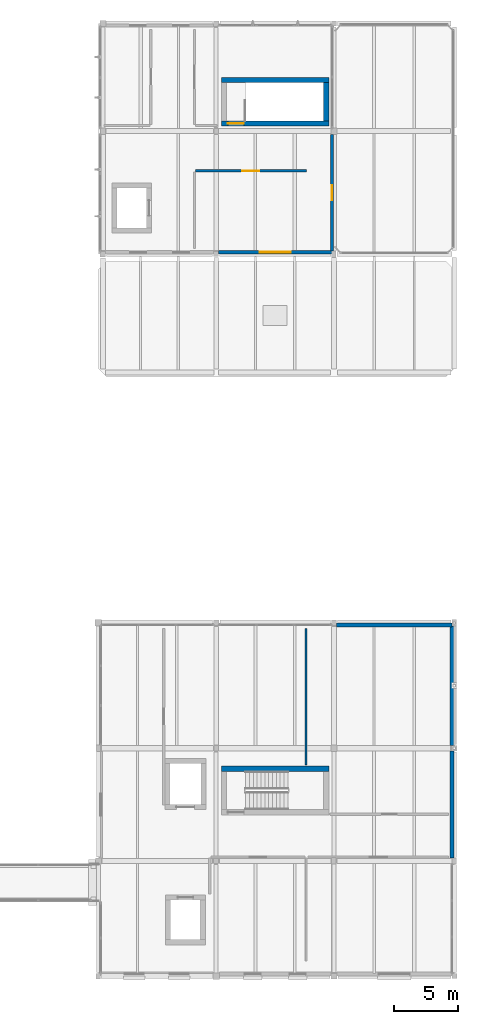
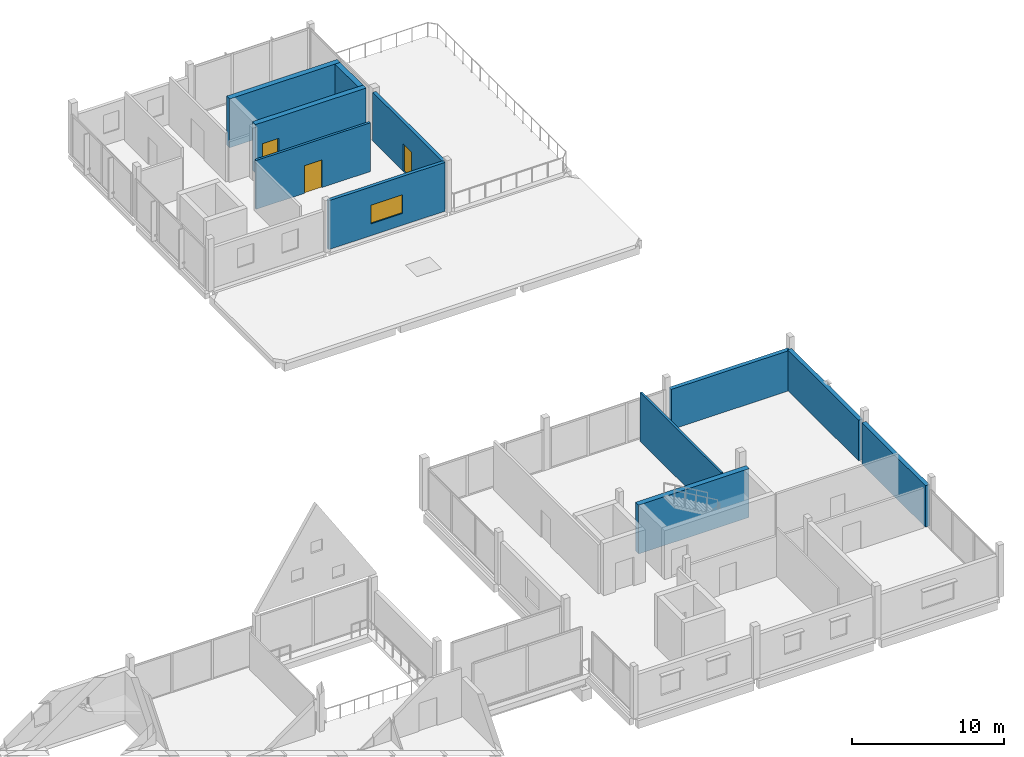
# One storey, part 24 of 35: 11 walls, 3 doors, 1 window, 4 openings.
"""IFC4 building model written with IfcOpenShell, lengths in metres."""

from ifc_helpers import new_model, si_unit, direction, frame, frame_2d, origin, place, context, subcontext, project, spatial, rectangle, extrude, material, layer, layer_set, type_object, element, fill, save


model = new_model("IFC4")

# Units and contexts
model_context = context("Model", 3, precision=1e-05, world=origin(), true_north=direction((0.0, 1.0)))
body_context = subcontext(model_context, "Body", "Model", "MODEL_VIEW")
ifc_project = project(units=[si_unit("LENGTHUNIT", "METRE"), si_unit("AREAUNIT", "SQUARE_METRE"), si_unit("VOLUMEUNIT", "CUBIC_METRE"), si_unit("PLANEANGLEUNIT", "RADIAN"), si_unit("MASSUNIT", "GRAM", prefix="KILO")], contexts=[model_context])

# Site, building, storey
site_placement = place(None, origin())
site = spatial("IfcSite", under=ifc_project, at=site_placement, CompositionType="ELEMENT")
building_placement = place(site_placement, origin())
building = spatial("IfcBuilding", under=site, at=building_placement, Name="Birchvale Park Specialist Clinic", CompositionType="ELEMENT")
storey_placement = place(building_placement, frame((0.0, 0.0, 13.800048828125)))
storey = spatial("IfcBuildingStorey", under=building, at=storey_placement, Name="L03", CompositionType="ELEMENT", Elevation=13.800048828125)

# Wall, opening, door
ifc_material_1 = material(Name="Concrete C40/50", Category="concrete")
ifc_layer_1 = layer(ifc_material_1, 0.39990234375)
ifc_layer_set_1 = layer_set([ifc_layer_1], Name="Concrete C40/50")
wall_type_1 = type_object("IfcWallType", Name="WL-CW-120", PredefinedType="SHEAR", material=ifc_layer_set_1)
wall_1_placement = place(storey_placement, frame((137.60009765625, 83.39990234375, 0.0), z_axis=(0.0, 0.0, 1.0), x_axis=(1.0, 0.0, 0.0)))
wall_1 = element("IfcWall", 1, at=wall_1_placement, inside=storey, type_object=wall_type_1, Name="L03 stair ST3 EI 120 enclosure wall (south)", PredefinedType="SHEAR", context=body_context, shape_type="SweptSolid", body=[
    extrude(rectangle(XDim=8.39990234375, YDim=0.39990234375, at=frame_2d((4.199951171875, 0.0))), origin(), (0.0, 0.0, 1.0), 3.919921875),
])
opening_1_placement = place(wall_1_placement, frame((0.52001953125, 0.0, 0.0)))
opening_1 = element("IfcOpeningElement", 2, at=opening_1_placement, cuts=wall_1, Name="Opening ID-FD60", PredefinedType="OPENING", context=body_context, shape_type="SweptSolid", body=[
    extrude(rectangle(XDim=1.25, YDim=2.199951171875, at=frame_2d((0.625, 1.10009765625))), frame((0.0, 0.2099609375, 0.0), z_axis=(0.0, -1.0, 0.0), x_axis=(1.0, 0.0, 0.0)), (0.0, 0.0, 1.0), 0.419921875),
])
ifc_material_2 = material(Name="Solid-core birch veneer and anodised aluminium", Category="aluminium")
door_type_1 = type_object("IfcDoorType", Name="DR-ID-FD60", OperationType="NOTDEFINED", PredefinedType="DOOR", material=ifc_material_2)
door_1_placement = place(opening_1_placement, origin())
door_1 = element("IfcDoor", 3, at=door_1_placement, inside=storey, type_object=door_type_1, Name="L03 stair ST3 fire door", OperationType="SINGLE_SWING_LEFT", OverallHeight=2.199951171875, OverallWidth=1.25, PredefinedType="DOOR", context=body_context, shape_type="SweptSolid", body=[
    extrude(rectangle(XDim=1.25, YDim=2.199951171875, at=frame_2d((0.625, 1.10009765625))), frame((0.0, 0.02490234375, 0.0), z_axis=(0.0, -1.0, 0.0), x_axis=(1.0, 0.0, 0.0)), (0.0, 0.0, 1.0), 0.050048828125),
])
fill(opening_1, door_1)

# Walls
wall_2_placement = place(storey_placement, frame((146.0, 86.800048828125, 0.0), z_axis=(0.0, 0.0, 1.0), x_axis=(-1.0, 0.0, 0.0)))
element("IfcWall", 4, at=wall_2_placement, inside=storey, type_object=wall_type_1, Name="L03 stair ST3 EI 120 enclosure wall (north)", PredefinedType="SHEAR", context=body_context, shape_type="SweptSolid", body=[
    extrude(rectangle(XDim=8.39990234375, YDim=0.39990234375, at=frame_2d((4.199951171875, 0.0))), origin(), (0.0, 0.0, 1.0), 3.919921875),
])
wall_3_placement = place(storey_placement, frame((145.800048828125, 86.60009765625, 0.0), z_axis=(0.0, 0.0, 1.0), x_axis=(0.0, -1.0, 0.0)))
element("IfcWall", 5, at=wall_3_placement, inside=storey, type_object=wall_type_1, Name="L03 stair ST3 EI 120 enclosure wall (east)", PredefinedType="SHEAR", context=body_context, shape_type="SweptSolid", body=[
    extrude(rectangle(XDim=3.0, YDim=0.39990234375, at=frame_2d((1.5, 0.0))), origin(), (0.0, 0.0, 1.0), 3.919921875),
])
wall_4_placement = place(storey_placement, frame((146.0, 33.0, 0.0), z_axis=(0.0, 0.0, 1.0), x_axis=(-1.0, 0.0, 0.0)))
element("IfcWall", 6, at=wall_4_placement, inside=storey, type_object=wall_type_1, Name="L03 stair ST6 EI 120 enclosure wall (north)", PredefinedType="SHEAR", context=body_context, shape_type="SweptSolid", body=[
    extrude(rectangle(XDim=8.39990234375, YDim=0.39990234375, at=frame_2d((4.199951171875, 0.0))), origin(), (0.0, 0.0, 1.0), 3.919921875),
])
ifc_material_3 = material(Name="Lime-white mineral-rendered insulated masonry", Category="masonry")
ifc_layer_2 = layer(ifc_material_3, 0.31005859375)
ifc_layer_set_2 = layer_set([ifc_layer_2], Name="Lime-white mineral-rendered insulated masonry")
wall_type_2 = type_object("IfcWallType", Name="WL-EW-02", PredefinedType="STANDARD", material=ifc_layer_set_2)
wall_5_placement = place(storey_placement, frame((155.625, 26.02001953125, 0.0), z_axis=(0.0, 0.0, 1.0), x_axis=(0.0, 1.0, 0.0)))
element("IfcWall", 7, at=wall_5_placement, inside=storey, type_object=wall_type_2, Name="V5 L03 exterior facade wall 261", PredefinedType="STANDARD", context=body_context, shape_type="SweptSolid", body=[
    extrude(rectangle(XDim=8.35986328125, YDim=0.31005859375, at=frame_2d((4.179931640625, 0.0))), origin(), (0.0, 0.0, 1.0), 3.3349609375),
])
wall_6_placement = place(storey_placement, frame((155.625, 34.820068359375, 0.0), z_axis=(0.0, 0.0, 1.0), x_axis=(0.0, 1.0, 0.0)))
element("IfcWall", 8, at=wall_6_placement, inside=storey, type_object=wall_type_2, Name="V5 L03 exterior facade wall 262", PredefinedType="STANDARD", context=body_context, shape_type="SweptSolid", body=[
    extrude(rectangle(XDim=9.3349609375, YDim=0.31005859375, at=frame_2d((4.66748046875, 0.0))), origin(), (0.0, 0.0, 1.0), 3.27001953125),
])
wall_7_placement = place(storey_placement, frame((155.6298828125, 44.22509765625, 0.0), z_axis=(0.0, 0.0, 1.0), x_axis=(-1.0, 0.0, 0.0)))
element("IfcWall", 9, at=wall_7_placement, inside=storey, type_object=wall_type_2, Name="V5 L03 exterior facade wall 263", PredefinedType="STANDARD", context=body_context, shape_type="SweptSolid", body=[
    extrude(rectangle(XDim=9.034912109375, YDim=0.31005859375, at=frame_2d((4.517578125, 0.0))), origin(), (0.0, 0.0, 1.0), 3.22998046875),
])

# Wall, opening, window
ifc_layer_3 = layer(ifc_material_3, 0.25)
ifc_layer_set_3 = layer_set([ifc_layer_3], Name="Lime-white mineral-rendered insulated masonry")
wall_type_3 = type_object("IfcWallType", Name="WL-EW-05", PredefinedType="STANDARD", material=ifc_layer_set_3)
wall_8_placement = place(storey_placement, frame((137.39501953125, 73.344970703125, 0.0), z_axis=(0.0, 0.0, 1.0), x_axis=(1.0, 0.0, 0.0)))
wall_8 = element("IfcWall", 10, at=wall_8_placement, inside=storey, type_object=wall_type_3, Name="V6 L03 exterior facade wall 266", PredefinedType="STANDARD", context=body_context, shape_type="SweptSolid", body=[
    extrude(rectangle(XDim=8.8349609375, YDim=0.25, at=frame_2d((4.41748046875, 0.0))), origin(), (0.0, 0.0, 1.0), 3.919921875),
])
opening_2_placement = place(wall_8_placement, frame((3.217529296875, 0.0, 0.949951171875)))
opening_2 = element("IfcOpeningElement", 11, at=opening_2_placement, cuts=wall_8, Name="Opening W-CL08", PredefinedType="OPENING", context=body_context, shape_type="SweptSolid", body=[
    extrude(rectangle(XDim=2.39990234375, YDim=1.5, at=frame_2d((1.199951171875, 0.75))), frame((0.0, 0.135009765625, 0.0), z_axis=(0.0, -1.0, 0.0), x_axis=(1.0, 0.0, 0.0)), (0.0, 0.0, 1.0), 0.27001953125),
])
ifc_material_4 = material(Name="Solar-control low-E double glazing", Category="glass")
window_type = type_object("IfcWindowType", Name="WIN-W-CL08", PartitioningType="SINGLE_PANEL", PredefinedType="WINDOW", material=ifc_material_4)
window_placement = place(opening_2_placement, origin())
window = element("IfcWindow", 12, at=window_placement, inside=storey, type_object=window_type, Name="V6 L03 cased window 121", OverallHeight=1.5, OverallWidth=2.39990234375, PartitioningType="SINGLE_PANEL", PredefinedType="WINDOW", context=body_context, shape_type="SweptSolid", body=[
    extrude(rectangle(XDim=2.39990234375, YDim=1.5, at=frame_2d((1.199951171875, 0.75))), frame((0.0, 0.030029296875, 0.0), z_axis=(0.0, -1.0, 0.0), x_axis=(1.0, 0.0, 0.0)), (0.0, 0.0, 1.0), 0.06005859375),
])
fill(opening_2, window)

# Wall, opening, door
wall_9_placement = place(storey_placement, frame((146.2548828125, 73.445068359375, 0.0), z_axis=(0.0, 0.0, 1.0), x_axis=(0.0, 1.0, 0.0)))
wall_9 = element("IfcWall", 13, at=wall_9_placement, inside=storey, type_object=wall_type_3, Name="V6 L03 exterior facade wall 267", PredefinedType="STANDARD", context=body_context, shape_type="SweptSolid", body=[
    extrude(rectangle(XDim=9.10986328125, YDim=0.25, at=frame_2d((4.554931640625, 0.0))), origin(), (0.0, 0.0, 1.0), 3.919921875),
])
opening_3_placement = place(wall_9_placement, frame((3.97998046875, 0.0, 0.0)))
opening_3 = element("IfcOpeningElement", 14, at=opening_3_placement, cuts=wall_9, Name="Opening ED-05", PredefinedType="OPENING", context=body_context, shape_type="SweptSolid", body=[
    extrude(rectangle(XDim=1.14990234375, YDim=2.199951171875, at=frame_2d((0.574951171875, 1.10009765625))), frame((0.0, 0.135009765625, 0.0), z_axis=(0.0, -1.0, 0.0), x_axis=(1.0, 0.0, 0.0)), (0.0, 0.0, 1.0), 0.27001953125),
])
ifc_material_5 = material(Name="Powder-coated aluminium and laminated safety glass", Category="aluminium")
door_type_2 = type_object("IfcDoorType", Name="DR-ED-05", OperationType="NOTDEFINED", PredefinedType="DOOR", material=ifc_material_5)
door_2_placement = place(opening_3_placement, frame((1.14990234375, 0.0, 0.0), z_axis=(0.0, 0.0, 1.0), x_axis=(-1.0, 0.0, 0.0)))
door_2 = element("IfcDoor", 15, at=door_2_placement, inside=storey, type_object=door_type_2, Name="V6 L03 accessible roof terrace door 38", OperationType="SINGLE_SWING_LEFT", OverallHeight=2.199951171875, OverallWidth=1.14990234375, PredefinedType="DOOR", context=body_context, shape_type="SweptSolid", body=[
    extrude(rectangle(XDim=1.14990234375, YDim=2.199951171875, at=frame_2d((0.574951171875, 1.10009765625))), frame((0.0, 0.02490234375, 0.0), z_axis=(0.0, -1.0, 0.0), x_axis=(1.0, 0.0, 0.0)), (0.0, 0.0, 1.0), 0.050048828125),
])
fill(opening_3, door_2)

# Wall
ifc_material_6 = material(Name="Acoustic gypsum board on metal framing")
ifc_layer_4 = layer(ifc_material_6, 0.1650390625)
ifc_layer_set_4 = layer_set([ifc_layer_4], Name="Acoustic gypsum board on metal framing")
wall_type_4 = type_object("IfcWallType", Name="WL-IW-01", PredefinedType="PARTITIONING", material=ifc_layer_set_4)
wall_10_placement = place(storey_placement, frame((144.22998046875, 43.9599609375, 0.0), z_axis=(0.0, 0.0, 1.0), x_axis=(0.0, -1.0, 0.0)))
element("IfcWall", 16, at=wall_10_placement, inside=storey, type_object=wall_type_4, Name="V5 L03 clinical partition 530", PredefinedType="PARTITIONING", context=body_context, shape_type="SweptSolid", body=[
    extrude(rectangle(XDim=10.659912109375, YDim=0.1650390625, at=frame_2d((5.330078125, 0.0))), origin(), (0.0, 0.0, 1.0), 3.919921875),
])

# Wall, opening, door
ifc_layer_5 = layer(ifc_material_6, 0.179931640625)
ifc_layer_set_5 = layer_set([ifc_layer_5], Name="Acoustic gypsum board on metal framing")
wall_type_5 = type_object("IfcWallType", Name="WL-IW-60", PredefinedType="PARTITIONING", material=ifc_layer_set_5)
wall_11_placement = place(storey_placement, frame((135.580078125, 79.699951171875, 0.0), z_axis=(0.0, 0.0, 1.0), x_axis=(1.0, 0.0, 0.0)))
wall_11 = element("IfcWall", 17, at=wall_11_placement, inside=storey, type_object=wall_type_5, Name="V6 L03 clinical partition 532", PredefinedType="PARTITIONING", context=body_context, shape_type="SweptSolid", body=[
    extrude(rectangle(XDim=8.669921875, YDim=0.179931640625, at=frame_2d((4.3349609375, 0.0))), origin(), (0.0, 0.0, 1.0), 3.919921875),
])
opening_4_placement = place(wall_11_placement, frame((3.675048828125, 0.0, 0.0)))
opening_4 = element("IfcOpeningElement", 18, at=opening_4_placement, cuts=wall_11, Name="Opening ID-12", PredefinedType="OPENING", context=body_context, shape_type="SweptSolid", body=[
    extrude(rectangle(XDim=1.320068359375, YDim=2.219970703125, at=frame_2d((0.66015625, 1.10986328125))), frame((0.0, 0.10009765625, 0.0), z_axis=(0.0, -1.0, 0.0), x_axis=(1.0, 0.0, 0.0)), (0.0, 0.0, 1.0), 0.199951171875),
])
door_type_3 = type_object("IfcDoorType", Name="DR-ID-12", OperationType="NOTDEFINED", PredefinedType="DOOR", material=ifc_material_2)
door_3_placement = place(opening_4_placement, origin())
door_3 = element("IfcDoor", 19, at=door_3_placement, inside=storey, type_object=door_type_3, Name="L03 Biomarker Discovery Laboratory door", OperationType="SINGLE_SWING_RIGHT", OverallHeight=2.219970703125, OverallWidth=1.320068359375, PredefinedType="DOOR", context=body_context, shape_type="SweptSolid", body=[
    extrude(rectangle(XDim=1.320068359375, YDim=2.219970703125, at=frame_2d((0.66015625, 1.10986328125))), frame((0.0, 0.02490234375, 0.0), z_axis=(0.0, -1.0, 0.0), x_axis=(1.0, 0.0, 0.0)), (0.0, 0.0, 1.0), 0.050048828125),
])
fill(opening_4, door_3)

save(model, "model.ifc")
